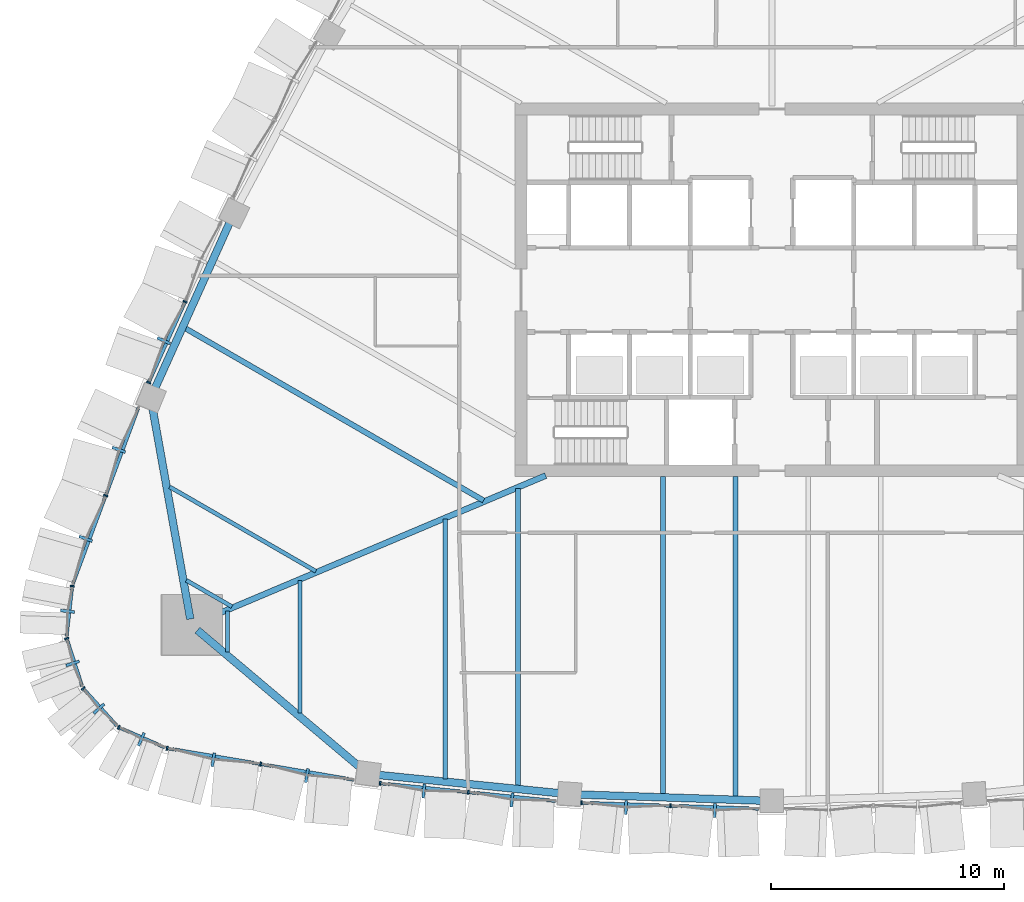
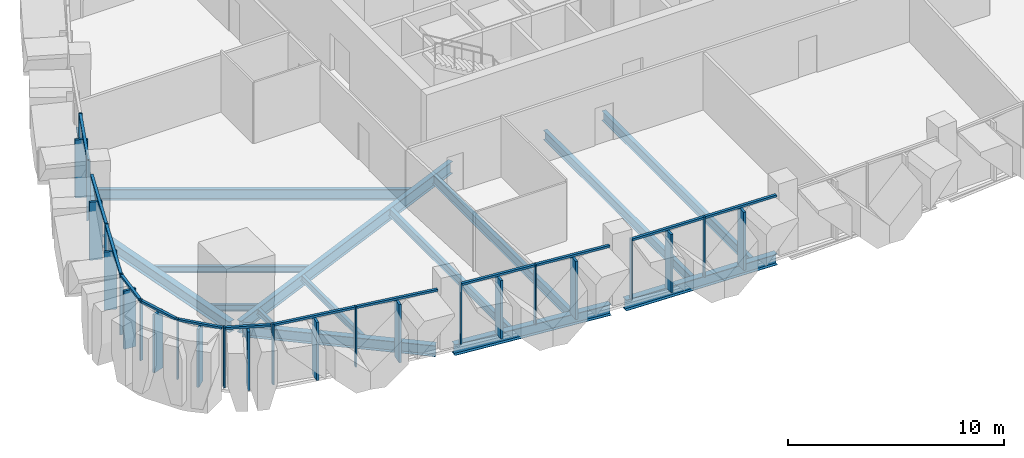
# One storey, part 2 of 18: 39 members, 15 beams, 9 elements without a shape of their own.
"""IFC4 building model written with IfcOpenShell, lengths in metres."""

from ifc_helpers import new_model, si_unit, direction, frame, origin, origin_2d, place, context, subcontext, project, spatial, rectangle, i_section, extrude, material, layer, layer_set, material_profile, profile_set, type_object, element, aggregate, save


model = new_model("IFC4")

# Units and contexts
model_context = context("Model", 3, precision=1e-05, world=origin(), true_north=direction((0.0, 1.0)))
body_context = subcontext(model_context, "Body", "Model", "MODEL_VIEW")
ifc_project = project(units=[si_unit("LENGTHUNIT", "METRE"), si_unit("AREAUNIT", "SQUARE_METRE"), si_unit("VOLUMEUNIT", "CUBIC_METRE"), si_unit("PLANEANGLEUNIT", "RADIAN"), si_unit("MASSUNIT", "GRAM", prefix="KILO")], contexts=[model_context])

# Site, building, storey
site_placement = place(None, origin())
site = spatial("IfcSite", under=ifc_project, at=site_placement, CompositionType="ELEMENT")
building_placement = place(site_placement, origin())
building = spatial("IfcBuilding", under=site, at=building_placement, Name="Sierra Prisma Convention Tower", CompositionType="ELEMENT")
storey_placement = place(building_placement, frame((0.0, 0.0, 133.800048828125)))
storey = spatial("IfcBuildingStorey", under=building, at=storey_placement, Name="L28", CompositionType="ELEMENT", Elevation=133.800048828125)

# Curtain wall, members
ifc_material_1 = material(Name="Aluminium and glass curtain wall", Category="aluminium")
ifc_layer = layer(ifc_material_1, 0.179931640625)
ifc_layer_set = layer_set([ifc_layer], Name="CW-2 Faceted crystal curtain wall")
curtain_wall_type = type_object("IfcCurtainWallType", Name="CW-2 Faceted crystal curtain wall", PredefinedType="NOTDEFINED", material=ifc_layer_set)
curtain_wall_1_placement = place(storey_placement, origin())
curtain_wall_1 = element("IfcCurtainWall", 1, at=curtain_wall_1_placement, inside=storey, type_object=curtain_wall_type, Name="CW-2 S1 L28", PredefinedType="NOTDEFINED")
ifc_material_2 = material(Name="Aluminium 6063-T6 bronze anodised", Category="aluminium")
ifc_material_profile_1 = material_profile(ifc_material_2, rectangle(XDim=0.1201171875, YDim=0.60009765625, at=origin_2d()), Name="ALU RIDGE BLADE 120x600")
ifc_profile_set_1 = profile_set([ifc_material_profile_1], Name="Aluminium 6063-T6 bronze anodised")
member_type_1 = type_object("IfcMemberType", Name="CW hip bronze", PredefinedType="MULLION", material=ifc_profile_set_1)
member_1_placement = place(storey_placement, frame((-23.930419921875, -20.12939453125, 0.0), z_axis=(0.0, 0.0, 1.0), x_axis=(0.986019213577, -0.16663166103, 0.0)))
member_1 = element("IfcMember", 2, at=member_1_placement, type_object=member_type_1, Name="CW-2 ridge S1.1", PredefinedType="MULLION", context=body_context, shape_type="SweptSolid", body=[
    extrude(rectangle(XDim=0.1201171875, YDim=0.60009765625, at=origin_2d()), origin(), (0.0, 0.0, 1.0), 3.280029296875),
])
member_2_placement = place(storey_placement, frame((-19.919921875, -20.80712890625, 0.0), z_axis=(0.0, 0.0, 1.0), x_axis=(0.986019213577, -0.16663166103, 0.0)))
member_2 = element("IfcMember", 3, at=member_2_placement, type_object=member_type_1, Name="CW-2 ridge S1.2", PredefinedType="MULLION", context=body_context, shape_type="SweptSolid", body=[
    extrude(rectangle(XDim=0.1201171875, YDim=0.60009765625, at=origin_2d()), origin(), (0.0, 0.0, 1.0), 3.280029296875),
])

curtain_wall_2_placement = place(storey_placement, origin())
curtain_wall_2 = element("IfcCurtainWall", 4, at=curtain_wall_2_placement, inside=storey, type_object=curtain_wall_type, Name="CW-2 S2 L28", PredefinedType="NOTDEFINED")
member_3_placement = place(storey_placement, frame((-14.91064453125, -21.474365234375, 0.0), z_axis=(0.0, 0.0, 1.0), x_axis=(0.994959385557, -0.100278717041, 0.0)))
member_3 = element("IfcMember", 5, at=member_3_placement, type_object=member_type_1, Name="CW-2 ridge S2.1", PredefinedType="MULLION", context=body_context, shape_type="SweptSolid", body=[
    extrude(rectangle(XDim=0.1201171875, YDim=0.60009765625, at=origin_2d()), origin(), (0.0, 0.0, 1.0), 3.280029296875),
])
member_4_placement = place(storey_placement, frame((-11.134765625, -21.854736328125, 0.0), z_axis=(0.0, 0.0, 1.0), x_axis=(0.994959385557, -0.100278717041, 0.0)))
member_4 = element("IfcMember", 6, at=member_4_placement, type_object=member_type_1, Name="CW-2 ridge S2.2", PredefinedType="MULLION", context=body_context, shape_type="SweptSolid", body=[
    extrude(rectangle(XDim=0.1201171875, YDim=0.60009765625, at=origin_2d()), origin(), (0.0, 0.0, 1.0), 3.280029296875),
])

curtain_wall_3_placement = place(storey_placement, origin())
curtain_wall_3 = element("IfcCurtainWall", 7, at=curtain_wall_3_placement, inside=storey, type_object=curtain_wall_type, Name="CW-2 S3 L28", PredefinedType="NOTDEFINED")
member_5_placement = place(storey_placement, frame((-6.2529296875, -22.18212890625, 0.0), z_axis=(0.0, 0.0, 1.0), x_axis=(0.999439512946, -0.03347625968, 0.0)))
member_5 = element("IfcMember", 8, at=member_5_placement, type_object=member_type_1, Name="CW-2 ridge S3.1", PredefinedType="MULLION", context=body_context, shape_type="SweptSolid", body=[
    extrude(rectangle(XDim=0.1201171875, YDim=0.60009765625, at=origin_2d()), origin(), (0.0, 0.0, 1.0), 3.280029296875),
])
member_6_placement = place(storey_placement, frame((-2.444091796875, -22.309814453125, 0.0), z_axis=(0.0, 0.0, 1.0), x_axis=(0.999439512946, -0.03347625968, 0.0)))
member_6 = element("IfcMember", 9, at=member_6_placement, type_object=member_type_1, Name="CW-2 ridge S3.2", PredefinedType="MULLION", context=body_context, shape_type="SweptSolid", body=[
    extrude(rectangle(XDim=0.1201171875, YDim=0.60009765625, at=origin_2d()), origin(), (0.0, 0.0, 1.0), 3.280029296875),
])

# Curtain wall, member
curtain_wall_4_placement = place(storey_placement, origin())
curtain_wall_4 = element("IfcCurtainWall", 10, at=curtain_wall_4_placement, inside=storey, type_object=curtain_wall_type, Name="CW-2 NW5 L28", PredefinedType="NOTDEFINED")
member_7_placement = place(storey_placement, frame((-26.052490234375, -2.17578125, 0.0), z_axis=(0.0, 0.0, 1.0), x_axis=(-0.410635776362, -0.911799462147, 0.0)))
member_7 = element("IfcMember", 11, at=member_7_placement, type_object=member_type_1, Name="CW-2 ridge NW5.2", PredefinedType="MULLION", context=body_context, shape_type="SweptSolid", body=[
    extrude(rectangle(XDim=0.1201171875, YDim=0.60009765625, at=origin_2d()), origin(), (0.0, 0.0, 1.0), 3.280029296875),
])

# Curtain wall, members
curtain_wall_5_placement = place(storey_placement, origin())
curtain_wall_5 = element("IfcCurtainWall", 12, at=curtain_wall_5_placement, inside=storey, type_object=curtain_wall_type, Name="CW-2 NW6 L28", PredefinedType="NOTDEFINED")
member_8_placement = place(storey_placement, frame((-27.979248046875, -6.84765625, 0.0), z_axis=(0.0, 0.0, 1.0), x_axis=(-0.348702355262, -0.937233518092, 0.0)))
member_8 = element("IfcMember", 13, at=member_8_placement, type_object=member_type_1, Name="CW-2 ridge NW6.1", PredefinedType="MULLION", context=body_context, shape_type="SweptSolid", body=[
    extrude(rectangle(XDim=0.1201171875, YDim=0.60009765625, at=origin_2d()), origin(), (0.0, 0.0, 1.0), 3.280029296875),
])
member_9_placement = place(storey_placement, frame((-29.397705078125, -10.65966796875, 0.0), z_axis=(0.0, 0.0, 1.0), x_axis=(-0.348702355262, -0.937233518092, 0.0)))
member_9 = element("IfcMember", 14, at=member_9_placement, type_object=member_type_1, Name="CW-2 ridge NW6.2", PredefinedType="MULLION", context=body_context, shape_type="SweptSolid", body=[
    extrude(rectangle(XDim=0.1201171875, YDim=0.60009765625, at=origin_2d()), origin(), (0.0, 0.0, 1.0), 3.280029296875),
])

# Curtain wall, member
curtain_wall_6_placement = place(storey_placement, origin())
curtain_wall_6 = element("IfcCurtainWall", 15, at=curtain_wall_6_placement, inside=storey, type_object=curtain_wall_type, Name="CW-2 SW1 L28", PredefinedType="NOTDEFINED")
member_10_placement = place(storey_placement, frame((-30.1796875, -13.7666015625, 0.0), z_axis=(0.0, 0.0, 1.0), x_axis=(-0.110899481203, -0.993831628129, 0.0)))
member_10 = element("IfcMember", 16, at=member_10_placement, type_object=member_type_1, Name="CW-2 ridge SW1.1", PredefinedType="MULLION", context=body_context, shape_type="SweptSolid", body=[
    extrude(rectangle(XDim=0.1201171875, YDim=0.60009765625, at=origin_2d()), origin(), (0.0, 0.0, 1.0), 3.280029296875),
])

curtain_wall_7_placement = place(storey_placement, origin())
curtain_wall_7 = element("IfcCurtainWall", 17, at=curtain_wall_7_placement, inside=storey, type_object=curtain_wall_type, Name="CW-2 SW2 L28", PredefinedType="NOTDEFINED")
member_11_placement = place(storey_placement, frame((-29.954833984375, -15.9990234375, 0.0), z_axis=(0.0, 0.0, 1.0), x_axis=(0.306984734877, -0.951714438554, 0.0)))
member_11 = element("IfcMember", 18, at=member_11_placement, type_object=member_type_1, Name="CW-2 ridge SW2.1", PredefinedType="MULLION", context=body_context, shape_type="SweptSolid", body=[
    extrude(rectangle(XDim=0.1201171875, YDim=0.60009765625, at=origin_2d()), origin(), (0.0, 0.0, 1.0), 3.280029296875),
])

curtain_wall_8_placement = place(storey_placement, origin())
curtain_wall_8 = element("IfcCurtainWall", 19, at=curtain_wall_8_placement, inside=storey, type_object=curtain_wall_type, Name="CW-2 SW3 L28", PredefinedType="NOTDEFINED")
member_12_placement = place(storey_placement, frame((-28.8330078125, -17.942138671875, 0.0), z_axis=(0.0, 0.0, 1.0), x_axis=(0.670716513498, -0.741713798254, 0.0)))
member_12 = element("IfcMember", 20, at=member_12_placement, type_object=member_type_1, Name="CW-2 ridge SW3.1", PredefinedType="MULLION", context=body_context, shape_type="SweptSolid", body=[
    extrude(rectangle(XDim=0.1201171875, YDim=0.60009765625, at=origin_2d()), origin(), (0.0, 0.0, 1.0), 3.280029296875),
])

curtain_wall_9_placement = place(storey_placement, origin())
curtain_wall_9 = element("IfcCurtainWall", 21, at=curtain_wall_9_placement, inside=storey, type_object=curtain_wall_type, Name="CW-2 SW4 L28", PredefinedType="NOTDEFINED")
member_13_placement = place(storey_placement, frame((-27.01220703125, -19.253173828125, 0.0), z_axis=(0.0, 0.0, 1.0), x_axis=(0.916133177645, -0.400874046076, 0.0)))
member_13 = element("IfcMember", 22, at=member_13_placement, type_object=member_type_1, Name="CW-2 ridge SW4.1", PredefinedType="MULLION", context=body_context, shape_type="SweptSolid", body=[
    extrude(rectangle(XDim=0.1201171875, YDim=0.60009765625, at=origin_2d()), origin(), (0.0, 0.0, 1.0), 3.280029296875),
])

# Member
ifc_material_3 = material(Name="Aluminium 6063-T6 bronze anodised", Category="aluminium")
ifc_material_profile_2 = material_profile(ifc_material_3, rectangle(XDim=0.179931640625, YDim=0.070068359375, at=origin_2d()), Name="ALU MULLION 70x180")
ifc_profile_set_2 = profile_set([ifc_material_profile_2], Name="Aluminium 6063-T6 bronze anodised")
member_type_2 = type_object("IfcMemberType", Name="CW mullion bronze", PredefinedType="MULLION", material=ifc_profile_set_2)
member_14_placement = place(storey_placement, frame((-25.909423828125, -19.63525390625, 0.0), z_axis=(0.0, 0.0, 1.0), x_axis=(0.16663166103, 0.986019213577, 0.0)))
member_14 = element("IfcMember", 23, at=member_14_placement, type_object=member_type_2, Name="CW-1 mullion S1.1", PredefinedType="MULLION", context=body_context, shape_type="SweptSolid", body=[
    extrude(rectangle(XDim=0.179931640625, YDim=0.070068359375, at=origin_2d()), origin(), (0.0, 0.0, 1.0), 3.39990234375),
])

member_15_placement = place(storey_placement, frame((-21.89892578125, -20.31298828125, 0.0), z_axis=(0.0, 0.0, 1.0), x_axis=(0.16663166103, 0.986019213577, 0.0)))
member_15 = element("IfcMember", 24, at=member_15_placement, type_object=member_type_2, Name="CW-1 mullion S1.2", PredefinedType="MULLION", context=body_context, shape_type="SweptSolid", body=[
    extrude(rectangle(XDim=0.179931640625, YDim=0.070068359375, at=origin_2d()), origin(), (0.0, 0.0, 1.0), 3.39990234375),
])

member_16_placement = place(storey_placement, frame((-16.783935546875, -21.13818359375, 0.0), z_axis=(0.0, 0.0, 1.0), x_axis=(0.100278717041, 0.994959385557, 0.0)))
member_16 = element("IfcMember", 25, at=member_16_placement, type_object=member_type_2, Name="CW-1 mullion S2.1", PredefinedType="MULLION", context=body_context, shape_type="SweptSolid", body=[
    extrude(rectangle(XDim=0.179931640625, YDim=0.070068359375, at=origin_2d()), origin(), (0.0, 0.0, 1.0), 3.39990234375),
])

member_17_placement = place(storey_placement, frame((-13.008056640625, -21.518798828125, 0.0), z_axis=(0.0, 0.0, 1.0), x_axis=(0.100278717041, 0.994959385557, 0.0)))
member_17 = element("IfcMember", 26, at=member_17_placement, type_object=member_type_2, Name="CW-1 mullion S2.2", PredefinedType="MULLION", context=body_context, shape_type="SweptSolid", body=[
    extrude(rectangle(XDim=0.179931640625, YDim=0.070068359375, at=origin_2d()), origin(), (0.0, 0.0, 1.0), 3.39990234375),
])

member_18_placement = place(storey_placement, frame((-8.152587890625, -21.97119140625, 0.0), z_axis=(0.0, 0.0, 1.0), x_axis=(0.03347625968, 0.999439512946, 0.0)))
member_18 = element("IfcMember", 27, at=member_18_placement, type_object=member_type_2, Name="CW-1 mullion S3.1", PredefinedType="MULLION", context=body_context, shape_type="SweptSolid", body=[
    extrude(rectangle(XDim=0.179931640625, YDim=0.070068359375, at=origin_2d()), origin(), (0.0, 0.0, 1.0), 3.39990234375),
])

member_19_placement = place(storey_placement, frame((-4.343505859375, -22.098876953125, 0.0), z_axis=(0.0, 0.0, 1.0), x_axis=(0.03347625968, 0.999439512946, 0.0)))
member_19 = element("IfcMember", 28, at=member_19_placement, type_object=member_type_2, Name="CW-1 mullion S3.2", PredefinedType="MULLION", context=body_context, shape_type="SweptSolid", body=[
    extrude(rectangle(XDim=0.179931640625, YDim=0.070068359375, at=origin_2d()), origin(), (0.0, 0.0, 1.0), 3.39990234375),
])

member_20_placement = place(storey_placement, frame((-25.1396484375, -0.505859375, 0.0), z_axis=(0.0, 0.0, 1.0), x_axis=(0.911799462147, -0.410635776362, 0.0)))
member_20 = element("IfcMember", 29, at=member_20_placement, type_object=member_type_2, Name="CW-1 mullion NW5.2", PredefinedType="MULLION", context=body_context, shape_type="SweptSolid", body=[
    extrude(rectangle(XDim=0.179931640625, YDim=0.070068359375, at=origin_2d()), origin(), (0.0, 0.0, 1.0), 3.39990234375),
])

member_21_placement = place(storey_placement, frame((-26.697998046875, -3.96630859375, 0.0), z_axis=(0.0, 0.0, 1.0), x_axis=(0.911799462147, -0.410635776362, 0.0)))
member_21 = element("IfcMember", 30, at=member_21_placement, type_object=member_type_2, Name="CW-1 mullion NW5.3", PredefinedType="MULLION", context=body_context, shape_type="SweptSolid", body=[
    extrude(rectangle(XDim=0.179931640625, YDim=0.070068359375, at=origin_2d()), origin(), (0.0, 0.0, 1.0), 3.39990234375),
])

member_22_placement = place(storey_placement, frame((-28.541015625, -8.808349609375, 0.0), z_axis=(0.0, 0.0, 1.0), x_axis=(0.937233518092, -0.348702355262, 0.0)))
member_22 = element("IfcMember", 31, at=member_22_placement, type_object=member_type_2, Name="CW-1 mullion NW6.2", PredefinedType="MULLION", context=body_context, shape_type="SweptSolid", body=[
    extrude(rectangle(XDim=0.179931640625, YDim=0.070068359375, at=origin_2d()), origin(), (0.0, 0.0, 1.0), 3.39990234375),
])

member_23_placement = place(storey_placement, frame((-29.9755859375, -12.688232421875, 0.0), z_axis=(0.0, 0.0, 1.0), x_axis=(0.993831628129, -0.110899481203, 0.0)))
member_23 = element("IfcMember", 32, at=member_23_placement, type_object=member_type_2, Name="CW-1 mullion SW1.1", PredefinedType="MULLION", context=body_context, shape_type="SweptSolid", body=[
    extrude(rectangle(XDim=0.179931640625, YDim=0.070068359375, at=origin_2d()), origin(), (0.0, 0.0, 1.0), 3.39990234375),
])

member_24_placement = place(storey_placement, frame((-30.21142578125, -14.931640625, 0.0), z_axis=(0.0, 0.0, 1.0), x_axis=(0.951714438554, 0.306984734877, 0.0)))
member_24 = element("IfcMember", 33, at=member_24_placement, type_object=member_type_2, Name="CW-1 mullion SW2.1", PredefinedType="MULLION", context=body_context, shape_type="SweptSolid", body=[
    extrude(rectangle(XDim=0.179931640625, YDim=0.070068359375, at=origin_2d()), origin(), (0.0, 0.0, 1.0), 3.39990234375),
])

member_25_placement = place(storey_placement, frame((-29.505126953125, -17.07421875, 0.0), z_axis=(0.0, 0.0, 1.0), x_axis=(0.741713798254, 0.670716513498, 0.0)))
member_25 = element("IfcMember", 34, at=member_25_placement, type_object=member_type_2, Name="CW-1 mullion SW3.1", PredefinedType="MULLION", context=body_context, shape_type="SweptSolid", body=[
    extrude(rectangle(XDim=0.179931640625, YDim=0.070068359375, at=origin_2d()), origin(), (0.0, 0.0, 1.0), 3.39990234375),
])

member_26_placement = place(storey_placement, frame((-27.9814453125, -18.738037109375, 0.0), z_axis=(0.0, 0.0, 1.0), x_axis=(0.400874046076, 0.916133177645, 0.0)))
member_26 = element("IfcMember", 35, at=member_26_placement, type_object=member_type_2, Name="CW-1 mullion SW4.1", PredefinedType="MULLION", context=body_context, shape_type="SweptSolid", body=[
    extrude(rectangle(XDim=0.179931640625, YDim=0.070068359375, at=origin_2d()), origin(), (0.0, 0.0, 1.0), 3.39990234375),
])

ifc_material_4 = material(Name="Aluminium 6063-T6 bronze anodised", Category="aluminium")
ifc_material_profile_3 = material_profile(ifc_material_4, rectangle(XDim=0.139892578125, YDim=0.1201171875, at=origin_2d()), Name="ALU TRANSOM 120x140")
ifc_profile_set_3 = profile_set([ifc_material_profile_3], Name="Aluminium 6063-T6 bronze anodised")
member_type_3 = type_object("IfcMemberType", Name="CW transom bronze", PredefinedType="USERDEFINED", material=ifc_profile_set_3)
member_27_placement = place(storey_placement, frame((-25.875, -19.64111328125, 3.33984375), z_axis=(0.986023362845, -0.166607106463, 0.0), x_axis=(0.166607106463, 0.986023362845, 0.0)))
member_27 = element("IfcMember", 36, at=member_27_placement, type_object=member_type_3, Name="CW-1 transom S1.1", ObjectType="TRANSOM", PredefinedType="USERDEFINED", context=body_context, shape_type="SweptSolid", body=[
    extrude(rectangle(XDim=0.139892578125, YDim=0.1201171875, at=origin_2d()), origin(), (0.0, 0.0, 1.0), 3.99755859375),
])

member_28_placement = place(storey_placement, frame((-21.8642578125, -20.31884765625, 3.33984375), z_axis=(0.986011631577, -0.166676520229, 0.0), x_axis=(0.166676520229, 0.986011631577, 0.0)))
member_28 = element("IfcMember", 37, at=member_28_placement, type_object=member_type_3, Name="CW-1 transom S1.2", ObjectType="TRANSOM", PredefinedType="USERDEFINED", context=body_context, shape_type="SweptSolid", body=[
    extrude(rectangle(XDim=0.139892578125, YDim=0.1201171875, at=origin_2d()), origin(), (0.0, 0.0, 1.0), 3.997314453125),
])

aggregate(curtain_wall_1, [member_14, member_15, member_27, member_1, member_28, member_2])

member_29_placement = place(storey_placement, frame((-16.7490234375, -21.1416015625, 3.33984375), z_axis=(0.994959011334, -0.100282429996, 0.0), x_axis=(0.100282429996, 0.994959011334, 0.0)))
member_29 = element("IfcMember", 38, at=member_29_placement, type_object=member_type_3, Name="CW-1 transom S2.1", ObjectType="TRANSOM", PredefinedType="USERDEFINED", context=body_context, shape_type="SweptSolid", body=[
    extrude(rectangle(XDim=0.139892578125, YDim=0.1201171875, at=origin_2d()), origin(), (0.0, 0.0, 1.0), 3.724853515625),
])

member_30_placement = place(storey_placement, frame((-12.97314453125, -21.522216796875, 3.33984375), z_axis=(0.994959011334, -0.100282429996, 0.0), x_axis=(0.100282429996, 0.994959011334, 0.0)))
member_30 = element("IfcMember", 39, at=member_30_placement, type_object=member_type_3, Name="CW-1 transom S2.2", ObjectType="TRANSOM", PredefinedType="USERDEFINED", context=body_context, shape_type="SweptSolid", body=[
    extrude(rectangle(XDim=0.139892578125, YDim=0.1201171875, at=origin_2d()), origin(), (0.0, 0.0, 1.0), 3.724853515625),
])

aggregate(curtain_wall_2, [member_16, member_17, member_29, member_3, member_30, member_4])

member_31_placement = place(storey_placement, frame((-8.117431640625, -21.972412109375, 3.33984375), z_axis=(0.999439388343, -0.03347997951, 0.0), x_axis=(0.03347997951, 0.999439388343, 0.0)))
member_31 = element("IfcMember", 40, at=member_31_placement, type_object=member_type_3, Name="CW-1 transom S3.1", ObjectType="TRANSOM", PredefinedType="USERDEFINED", context=body_context, shape_type="SweptSolid", body=[
    extrude(rectangle(XDim=0.139892578125, YDim=0.1201171875, at=origin_2d()), origin(), (0.0, 0.0, 1.0), 3.740966796875),
])

member_32_placement = place(storey_placement, frame((-4.30859375, -22.099853515625, 3.33984375), z_axis=(0.99943946149, -0.03347779587, 0.0), x_axis=(0.03347779587, 0.99943946149, 0.0)))
member_32 = element("IfcMember", 41, at=member_32_placement, type_object=member_type_3, Name="CW-1 transom S3.2", ObjectType="TRANSOM", PredefinedType="USERDEFINED", context=body_context, shape_type="SweptSolid", body=[
    extrude(rectangle(XDim=0.139892578125, YDim=0.1201171875, at=origin_2d()), origin(), (0.0, 0.0, 1.0), 3.7412109375),
])

aggregate(curtain_wall_3, [member_18, member_19, member_31, member_5, member_32, member_6])

member_33_placement = place(storey_placement, frame((-25.154052734375, -0.537841796875, 3.33984375), z_axis=(-0.410669869005, -0.911784107501, 0.0), x_axis=(0.911784107501, -0.410669869005, 0.0)))
member_33 = element("IfcMember", 42, at=member_33_placement, type_object=member_type_3, Name="CW-1 transom NW5.2", ObjectType="TRANSOM", PredefinedType="USERDEFINED", context=body_context, shape_type="SweptSolid", body=[
    extrude(rectangle(XDim=0.139892578125, YDim=0.1201171875, at=origin_2d()), origin(), (0.0, 0.0, 1.0), 3.72509765625),
])

aggregate(curtain_wall_4, [member_20, member_21, member_33, member_7])

member_34_placement = place(storey_placement, frame((-27.135009765625, -5.029052734375, 3.33984375), z_axis=(-0.348672579057, -0.937244595937, 0.0), x_axis=(0.937244595937, -0.348672579057, 0.0)))
member_34 = element("IfcMember", 43, at=member_34_placement, type_object=member_type_3, Name="CW-1 transom NW6.1", ObjectType="TRANSOM", PredefinedType="USERDEFINED", context=body_context, shape_type="SweptSolid", body=[
    extrude(rectangle(XDim=0.139892578125, YDim=0.1201171875, at=origin_2d()), origin(), (0.0, 0.0, 1.0), 3.99755859375),
])

member_35_placement = place(storey_placement, frame((-28.55322265625, -8.84130859375, 3.33984375), z_axis=(-0.348746188403, -0.937217208589, 0.0), x_axis=(0.937217208589, -0.348746188403, 0.0)))
member_35 = element("IfcMember", 44, at=member_35_placement, type_object=member_type_3, Name="CW-1 transom NW6.2", ObjectType="TRANSOM", PredefinedType="USERDEFINED", context=body_context, shape_type="SweptSolid", body=[
    extrude(rectangle(XDim=0.139892578125, YDim=0.1201171875, at=origin_2d()), origin(), (0.0, 0.0, 1.0), 3.997314453125),
])

aggregate(curtain_wall_5, [member_22, member_34, member_8, member_35, member_9])

member_36_placement = place(storey_placement, frame((-29.979248046875, -12.722900390625, 3.33984375), z_axis=(-0.110949968848, -0.993825993025, 0.0), x_axis=(0.993825993025, -0.110949968848, 0.0)))
member_36 = element("IfcMember", 45, at=member_36_placement, type_object=member_type_3, Name="CW-1 transom SW1.1", ObjectType="TRANSOM", PredefinedType="USERDEFINED", context=body_context, shape_type="SweptSolid", body=[
    extrude(rectangle(XDim=0.139892578125, YDim=0.1201171875, at=origin_2d()), origin(), (0.0, 0.0, 1.0), 2.119140625),
])

aggregate(curtain_wall_6, [member_23, member_36, member_10])

member_37_placement = place(storey_placement, frame((-30.20068359375, -14.965087890625, 3.33984375), z_axis=(0.307053275155, -0.951692327497, 0.0), x_axis=(0.951692327497, 0.307053275155, 0.0)))
member_37 = element("IfcMember", 46, at=member_37_placement, type_object=member_type_3, Name="CW-1 transom SW2.1", ObjectType="TRANSOM", PredefinedType="USERDEFINED", context=body_context, shape_type="SweptSolid", body=[
    extrude(rectangle(XDim=0.139892578125, YDim=0.1201171875, at=origin_2d()), origin(), (0.0, 0.0, 1.0), 2.118896484375),
])

aggregate(curtain_wall_7, [member_24, member_37, member_11])

member_38_placement = place(storey_placement, frame((-29.481689453125, -17.100341796875, 3.33984375), z_axis=(0.670726241164, -0.74170500161, 0.0), x_axis=(0.74170500161, 0.670726241164, 0.0)))
member_38 = element("IfcMember", 47, at=member_38_placement, type_object=member_type_3, Name="CW-1 transom SW3.1", ObjectType="TRANSOM", PredefinedType="USERDEFINED", context=body_context, shape_type="SweptSolid", body=[
    extrude(rectangle(XDim=0.139892578125, YDim=0.1201171875, at=origin_2d()), origin(), (0.0, 0.0, 1.0), 2.118896484375),
])

aggregate(curtain_wall_8, [member_25, member_38, member_12])

member_39_placement = place(storey_placement, frame((-27.949462890625, -18.751953125, 3.33984375), z_axis=(0.916157334902, -0.40081883402, 0.0), x_axis=(0.40081883402, 0.916157334902, 0.0)))
member_39 = element("IfcMember", 48, at=member_39_placement, type_object=member_type_3, Name="CW-1 transom SW4.1", ObjectType="TRANSOM", PredefinedType="USERDEFINED", context=body_context, shape_type="SweptSolid", body=[
    extrude(rectangle(XDim=0.139892578125, YDim=0.1201171875, at=origin_2d()), origin(), (0.0, 0.0, 1.0), 2.119140625),
])

aggregate(curtain_wall_9, [member_26, member_39, member_13])

# Beams
ifc_material_5 = material(Name="Steel ASTM A992 Gr 50", Category="steel")
ifc_material_profile_4 = material_profile(ifc_material_5, i_section(OverallWidth=0.172119140625, OverallDepth=0.35791015625, WebThickness=0.0078125, FlangeThickness=0.01318359375, at=origin_2d()), Name="W360x57")
ifc_profile_set_4 = profile_set([ifc_material_profile_4], Name="Steel ASTM A992 Gr 50")
beam_type_1 = type_object("IfcBeamType", Name="Floor joist W360x57", PredefinedType="JOIST", material=ifc_profile_set_4)
beam_1_placement = place(storey_placement, frame((-23.316162109375, -15.507568359375, -0.3291015625), z_axis=(0.0, 1.0, 0.0), x_axis=(-1.0, 0.0, 0.0)))
element("IfcBeam", 49, at=beam_1_placement, inside=storey, type_object=beam_type_1, Name="Floor joist L28 S01", PredefinedType="JOIST", context=body_context, shape_type="SweptSolid", body=[
    extrude(i_section(OverallWidth=0.172119140625, OverallDepth=0.35791015625, WebThickness=0.0078125, FlangeThickness=0.01318359375, at=origin_2d()), origin(), (0.0, 0.0, 1.0), 1.749267578125),
])
beam_2_placement = place(storey_placement, frame((-20.20751953125, -18.1298828125, -0.3291015625), z_axis=(0.0, 1.0, 0.0), x_axis=(-1.0, 0.0, 0.0)))
element("IfcBeam", 50, at=beam_2_placement, inside=storey, type_object=beam_type_1, Name="Floor joist L28 S02", PredefinedType="JOIST", context=body_context, shape_type="SweptSolid", body=[
    extrude(i_section(OverallWidth=0.172119140625, OverallDepth=0.35791015625, WebThickness=0.0078125, FlangeThickness=0.01318359375, at=origin_2d()), origin(), (0.0, 0.0, 1.0), 5.683349609375),
])
beam_3_placement = place(storey_placement, frame((-25.8046875, -8.43505859375, -0.3291015625), z_axis=(0.866027722941, -0.499995983082, 0.0), x_axis=(0.499995983082, 0.866027722941, 0.0)))
element("IfcBeam", 51, at=beam_3_placement, inside=storey, type_object=beam_type_1, Name="Floor joist L28 NW15", PredefinedType="JOIST", context=body_context, shape_type="SweptSolid", body=[
    extrude(i_section(OverallWidth=0.172119140625, OverallDepth=0.35791015625, WebThickness=0.0078125, FlangeThickness=0.01318359375, at=origin_2d()), origin(), (0.0, 0.0, 1.0), 7.23681640625),
])
beam_4_placement = place(storey_placement, frame((-25.088134765625, -12.438720703125, -0.3291015625), z_axis=(0.866048957103, -0.499959202237, 0.0), x_axis=(0.499959202237, 0.866048957103, 0.0)))
element("IfcBeam", 52, at=beam_4_placement, inside=storey, type_object=beam_type_1, Name="Floor joist L28 NW16", PredefinedType="JOIST", context=body_context, shape_type="SweptSolid", body=[
    extrude(i_section(OverallWidth=0.172119140625, OverallDepth=0.35791015625, WebThickness=0.0078125, FlangeThickness=0.01318359375, at=origin_2d()), origin(), (0.0, 0.0, 1.0), 2.261474609375),
])
ifc_material_6 = material(Name="Steel ASTM A992 Gr 50", Category="steel")
ifc_material_profile_5 = material_profile(ifc_material_6, i_section(OverallWidth=0.18994140625, OverallDepth=0.45703125, WebThickness=0.009033203125, FlangeThickness=0.014404296875, at=origin_2d()), Name="W460x74")
ifc_profile_set_5 = profile_set([ifc_material_profile_5], Name="Steel ASTM A992 Gr 50")
beam_type_2 = type_object("IfcBeamType", Name="Floor joist W460x74", PredefinedType="JOIST", material=ifc_profile_set_5)
beam_5_placement = place(storey_placement, frame((-13.98974609375, -20.954833984375, -0.378662109375), z_axis=(0.0, 1.0, 0.0), x_axis=(-1.0, 0.0, 0.0)))
element("IfcBeam", 53, at=beam_5_placement, inside=storey, type_object=beam_type_2, Name="Floor joist L28 S04", PredefinedType="JOIST", context=body_context, shape_type="SweptSolid", body=[
    extrude(i_section(OverallWidth=0.18994140625, OverallDepth=0.45703125, WebThickness=0.009033203125, FlangeThickness=0.014404296875, at=origin_2d()), origin(), (0.0, 0.0, 1.0), 11.1318359375),
])
ifc_material_7 = material(Name="Steel ASTM A992 Gr 50", Category="steel")
ifc_material_profile_6 = material_profile(ifc_material_7, i_section(OverallWidth=0.208984375, OverallDepth=0.532958984375, WebThickness=0.01025390625, FlangeThickness=0.015625, at=origin_2d()), Name="W530x92")
ifc_profile_set_6 = profile_set([ifc_material_profile_6], Name="Steel ASTM A992 Gr 50")
beam_type_3 = type_object("IfcBeamType", Name="Floor joist W530x92", PredefinedType="JOIST", material=ifc_profile_set_6)
beam_6_placement = place(storey_placement, frame((-10.880859375, -21.268310546875, -0.41650390625), z_axis=(0.0, 1.0, 0.0), x_axis=(-1.0, 0.0, 0.0)))
element("IfcBeam", 54, at=beam_6_placement, inside=storey, type_object=beam_type_3, Name="Floor joist L28 S05", PredefinedType="JOIST", context=body_context, shape_type="SweptSolid", body=[
    extrude(i_section(OverallWidth=0.208984375, OverallDepth=0.532958984375, WebThickness=0.01025390625, FlangeThickness=0.015625, at=origin_2d()), origin(), (0.0, 0.0, 1.0), 12.757080078125),
])
beam_7_placement = place(storey_placement, frame((-4.663330078125, -21.62548828125, -0.41650390625), z_axis=(0.0, 1.0, 0.0), x_axis=(-1.0, 0.0, 0.0)))
element("IfcBeam", 55, at=beam_7_placement, inside=storey, type_object=beam_type_3, Name="Floor joist L28 S07", PredefinedType="JOIST", context=body_context, shape_type="SweptSolid", body=[
    extrude(i_section(OverallWidth=0.208984375, OverallDepth=0.532958984375, WebThickness=0.01025390625, FlangeThickness=0.015625, at=origin_2d()), origin(), (0.0, 0.0, 1.0), 13.62548828125),
])
beam_8_placement = place(storey_placement, frame((-1.554443359375, -21.729736328125, -0.41650390625), z_axis=(0.0, 1.0, 0.0), x_axis=(-1.0, 0.0, 0.0)))
element("IfcBeam", 56, at=beam_8_placement, inside=storey, type_object=beam_type_3, Name="Floor joist L28 S08", PredefinedType="JOIST", context=body_context, shape_type="SweptSolid", body=[
    extrude(i_section(OverallWidth=0.208984375, OverallDepth=0.532958984375, WebThickness=0.01025390625, FlangeThickness=0.015625, at=origin_2d()), origin(), (0.0, 0.0, 1.0), 13.729736328125),
])
ifc_material_8 = material(Name="Steel ASTM A992 Gr 50", Category="steel")
ifc_material_profile_7 = material_profile(ifc_material_8, i_section(OverallWidth=0.22802734375, OverallDepth=0.60302734375, WebThickness=0.010498046875, FlangeThickness=0.014892578125, at=origin_2d()), Name="W610x101")
ifc_profile_set_7 = profile_set([ifc_material_profile_7], Name="Steel ASTM A992 Gr 50")
beam_type_4 = type_object("IfcBeamType", Name="Floor joist W610x101", PredefinedType="JOIST", material=ifc_profile_set_7)
beam_9_placement = place(storey_placement, frame((-25.142333984375, -1.637939453125, -0.45166015625), z_axis=(0.866025913475, -0.499999117189, 0.0), x_axis=(0.499999117189, 0.866025913475, 0.0)))
element("IfcBeam", 57, at=beam_9_placement, inside=storey, type_object=beam_type_4, Name="Floor joist L28 NW13", PredefinedType="JOIST", context=body_context, shape_type="SweptSolid", body=[
    extrude(i_section(OverallWidth=0.22802734375, OverallDepth=0.60302734375, WebThickness=0.010498046875, FlangeThickness=0.014892578125, at=origin_2d()), origin(), (0.0, 0.0, 1.0), 14.76806640625),
])
ifc_material_9 = material(Name="Steel ASTM A992 Gr 50", Category="steel")
ifc_material_profile_8 = material_profile(ifc_material_9, i_section(OverallWidth=0.25390625, OverallDepth=0.68408203125, WebThickness=0.012451171875, FlangeThickness=0.018798828125, at=origin_2d()), Name="W690x140")
ifc_profile_set_8 = profile_set([ifc_material_profile_8], Name="Steel ASTM A992 Gr 50")
beam_type_5 = type_object("IfcBeamType", Name="Radial girder W690x140", PredefinedType="BEAM", material=ifc_profile_set_8)
beam_10_placement = place(storey_placement, frame((-24.610595703125, -14.249267578125, -0.491943359375), z_axis=(0.921341129681, 0.388755093546, 0.0), x_axis=(-0.388755093546, 0.921341129681, 0.0)))
element("IfcBeam", 58, at=beam_10_placement, inside=storey, type_object=beam_type_5, Name="Radial girder L28 SW", PredefinedType="BEAM", context=body_context, shape_type="SweptSolid", body=[
    extrude(i_section(OverallWidth=0.25390625, OverallDepth=0.68408203125, WebThickness=0.012451171875, FlangeThickness=0.018798828125, at=origin_2d()), origin(), (0.0, 0.0, 1.0), 16.195068359375),
])
ifc_material_10 = material(Name="Steel ASTM A992 Gr 50", Category="steel")
ifc_material_profile_9 = material_profile(ifc_material_10, i_section(OverallWidth=0.324951171875, OverallDepth=0.615966796875, WebThickness=0.013916015625, FlangeThickness=0.021484375, at=origin_2d()), Name="W610x174")
ifc_profile_set_9 = profile_set([ifc_material_profile_9], Name="Steel ASTM A992 Gr 50")
beam_type_6 = type_object("IfcBeamType", Name="Spandrel beam W610x174", PredefinedType="BEAM", material=ifc_profile_set_9)
beam_11_placement = place(storey_placement, frame((-24.610595703125, -14.578369140625, -0.4580078125), z_axis=(0.764389699102, -0.644754517555, 0.0), x_axis=(0.644754517555, 0.764389699102, 0.0)))
element("IfcBeam", 59, at=beam_11_placement, inside=storey, type_object=beam_type_6, Name="Spandrel L28-01", PredefinedType="BEAM", context=body_context, shape_type="SweptSolid", body=[
    extrude(i_section(OverallWidth=0.324951171875, OverallDepth=0.615966796875, WebThickness=0.013916015625, FlangeThickness=0.021484375, at=origin_2d()), origin(), (0.0, 0.0, 1.0), 9.072998046875),
])
beam_12_placement = place(storey_placement, frame((-16.935791015625, -20.771240234375, -0.4580078125), z_axis=(0.994957528228, -0.100297143645, 0.0), x_axis=(0.100297143645, 0.994957528228, 0.0)))
element("IfcBeam", 60, at=beam_12_placement, inside=storey, type_object=beam_type_6, Name="Spandrel L28-02", PredefinedType="BEAM", context=body_context, shape_type="SweptSolid", body=[
    extrude(i_section(OverallWidth=0.324951171875, OverallDepth=0.615966796875, WebThickness=0.013916015625, FlangeThickness=0.021484375, at=origin_2d()), origin(), (0.0, 0.0, 1.0), 7.9208984375),
])
beam_13_placement = place(storey_placement, frame((-8.29638671875, -21.616455078125, -0.4580078125), z_axis=(0.999439591785, -0.033473905834, 0.0), x_axis=(0.033473905834, 0.999439591785, 0.0)))
element("IfcBeam", 61, at=beam_13_placement, inside=storey, type_object=beam_type_6, Name="Spandrel L28-03", PredefinedType="BEAM", context=body_context, shape_type="SweptSolid", body=[
    extrude(i_section(OverallWidth=0.324951171875, OverallDepth=0.615966796875, WebThickness=0.013916015625, FlangeThickness=0.021484375, at=origin_2d()), origin(), (0.0, 0.0, 1.0), 7.920654296875),
])
beam_14_placement = place(storey_placement, frame((-23.203857421875, 2.941162109375, -0.4580078125), z_axis=(-0.410612007979, -0.911810166045, 0.0), x_axis=(0.911810166045, -0.410612007979, 0.0)))
element("IfcBeam", 62, at=beam_14_placement, inside=storey, type_object=beam_type_6, Name="Spandrel L28-17", PredefinedType="BEAM", context=body_context, shape_type="SweptSolid", body=[
    extrude(i_section(OverallWidth=0.324951171875, OverallDepth=0.615966796875, WebThickness=0.013916015625, FlangeThickness=0.021484375, at=origin_2d()), origin(), (0.0, 0.0, 1.0), 7.9208984375),
])
beam_15_placement = place(storey_placement, frame((-26.529296875, -5.09326171875, -0.4580078125), z_axis=(0.176200693986, -0.984354263179, 0.0), x_axis=(0.984354263179, 0.176200693986, 0.0)))
element("IfcBeam", 63, at=beam_15_placement, inside=storey, type_object=beam_type_6, Name="Spandrel L28-18", PredefinedType="BEAM", context=body_context, shape_type="SweptSolid", body=[
    extrude(i_section(OverallWidth=0.324951171875, OverallDepth=0.615966796875, WebThickness=0.013916015625, FlangeThickness=0.021484375, at=origin_2d()), origin(), (0.0, 0.0, 1.0), 9.14892578125),
])

save(model, "model.ifc")
